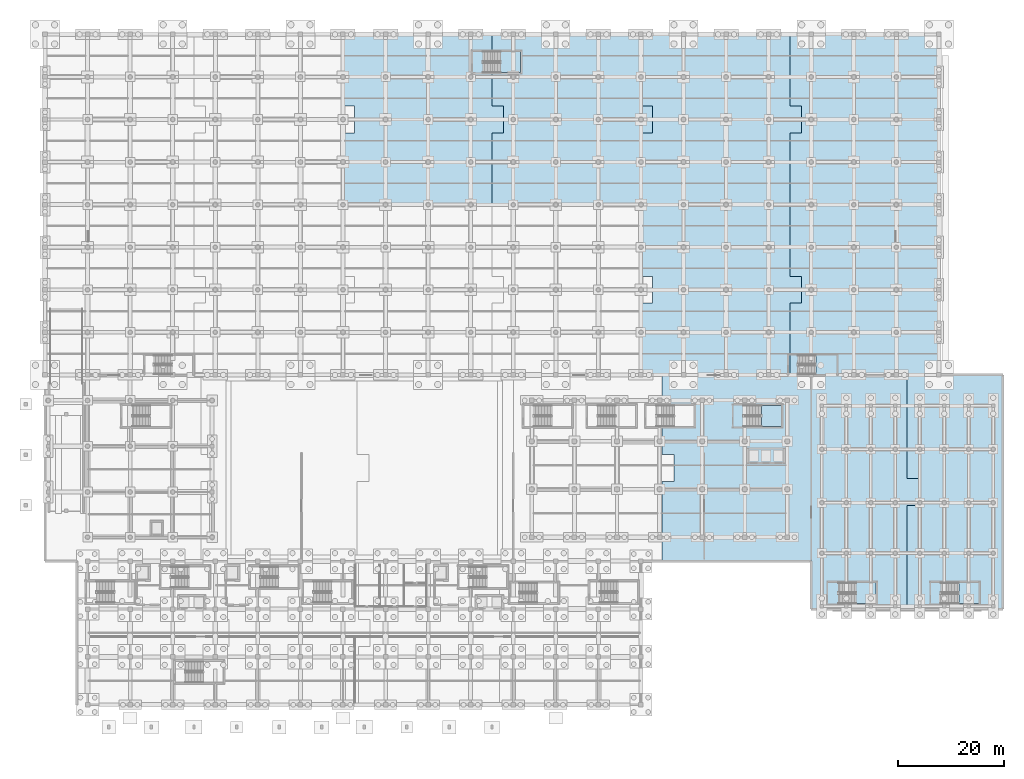
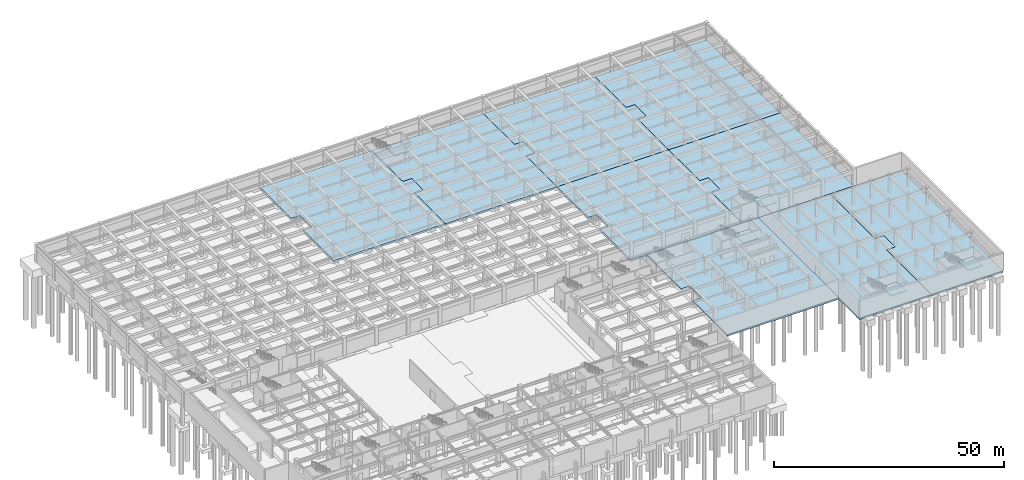
# One storey, part 24 of 48: 14 slabs, 5 elements without a shape of their own.
"""IFC4 building model written with IfcOpenShell, lengths in metres."""

from ifc_helpers import new_model, si_unit, direction, frame, origin, place, context, subcontext, project, spatial, polyline, outline, extrude, material, layer, layer_set, type_object, element, aggregate, save


model = new_model("IFC4")

# Units and contexts
model_context = context("Model", 3, precision=1e-05, world=origin(), true_north=direction((0.0, 1.0)))
body_context = subcontext(model_context, "Body", "Model", "MODEL_VIEW")
ifc_project = project(units=[si_unit("LENGTHUNIT", "METRE"), si_unit("AREAUNIT", "SQUARE_METRE"), si_unit("VOLUMEUNIT", "CUBIC_METRE"), si_unit("PLANEANGLEUNIT", "RADIAN"), si_unit("MASSUNIT", "GRAM", prefix="KILO")], contexts=[model_context])

# Site, building, storey
site_placement = place(None, origin())
site = spatial("IfcSite", under=ifc_project, at=site_placement, CompositionType="ELEMENT")
building_placement = place(site_placement, origin())
building = spatial("IfcBuilding", under=site, at=building_placement, Name="Tlacozan Convention Centre", CompositionType="ELEMENT")
storey_placement = place(building_placement, frame((0.0, 0.0, -4.800048828125)))
storey = spatial("IfcBuildingStorey", under=building, at=storey_placement, Name="B01", CompositionType="ELEMENT", Elevation=-4.800048828125)

# Slabs
ifc_material_1 = material(Name="Concrete C35/45", Category="concrete")
ifc_layer_1 = layer(ifc_material_1, 0.449951171875)
ifc_layer_set_1 = layer_set([ifc_layer_1], Name="Concrete C35/45")
slab_type_1 = type_object("IfcSlabType", Name="Basement Base Slab 450", PredefinedType="BASESLAB", material=ifc_layer_set_1)
slab_1_placement = place(storey_placement, frame((0.0, 0.0, -0.449951171875)))
element("IfcSlab", 1, at=slab_1_placement, inside=storey, type_object=slab_type_1, Name="B01 Basement Base Slab 450 21", PredefinedType="BASESLAB", context=body_context, shape_type="SweptSolid", body=[
    extrude(outline(polyline([(144.0, 62.0), (144.0, 27.0), (116.0, 27.0), (116.0, 42.0), (118.199951171875, 42.0), (118.199951171875, 47.0), (116.0, 47.0), (116.0, 62.0), (144.0, 62.0)])), origin(), (0.0, 0.0, 1.0), 0.449951171875),
])
slab_2_placement = place(storey_placement, frame((0.0, 0.0, -0.449951171875)))
element("IfcSlab", 2, at=slab_2_placement, inside=storey, type_object=slab_type_1, Name="B01 Basement Base Slab 450 22", PredefinedType="BASESLAB", context=body_context, shape_type="SweptSolid", body=[
    extrude(outline(polyline([(144.0, 18.0), (144.0, 62.0), (162.0, 62.0), (162.0, 42.5), (164.199951171875, 42.5), (164.199951171875, 37.5), (162.0, 37.5), (162.0, 18.0), (144.0, 18.0)])), origin(), (0.0, 0.0, 1.0), 0.449951171875),
])
slab_3_placement = place(storey_placement, frame((0.0, 0.0, -0.449951171875)))
element("IfcSlab", 3, at=slab_3_placement, inside=storey, type_object=slab_type_1, Name="B01 Basement Base Slab 450 23", PredefinedType="BASESLAB", context=body_context, shape_type="SweptSolid", body=[
    extrude(outline(polyline([(180.0, 62.0), (180.0, 18.0), (162.0, 18.0), (162.0, 37.5), (164.199951171875, 37.5), (164.199951171875, 42.5), (162.0, 42.5), (162.0, 62.0), (180.0, 62.0)])), origin(), (0.0, 0.0, 1.0), 0.449951171875),
])
ifc_layer_2 = layer(ifc_material_1, 0.489990234375)
ifc_layer_set_2 = layer_set([ifc_layer_2], Name="Concrete C35/45")
slab_type_2 = type_object("IfcSlabType", Name="Basement Heavy Vault Base Slab 490", PredefinedType="BASESLAB", material=ifc_layer_set_2)
slab_4_placement = place(storey_placement, frame((0.0, 0.0, -0.489990234375)))
element("IfcSlab", 4, at=slab_4_placement, inside=storey, type_object=slab_type_2, Name="B01 Basement Heavy Vault Base Slab 490 10", PredefinedType="BASESLAB", context=body_context, shape_type="SweptSolid", body=[
    extrude(outline(polyline([(56.0, 107.5), (58.199951171875, 107.5), (58.199951171875, 112.5), (56.0, 112.5), (56.0, 126.0), (84.0, 126.0), (84.0, 112.5), (86.199951171875, 112.5), (86.199951171875, 107.5), (84.0, 107.5), (84.0, 94.0), (56.0, 94.0), (56.0, 107.5)])), origin(), (0.0, 0.0, 1.0), 0.489990234375),
])
slab_5_placement = place(storey_placement, frame((0.0, 0.0, -0.489990234375)))
element("IfcSlab", 5, at=slab_5_placement, inside=storey, type_object=slab_type_2, Name="B01 Basement Heavy Vault Base Slab 490 12", PredefinedType="BASESLAB", context=body_context, shape_type="SweptSolid", body=[
    extrude(outline(polyline([(84.0, 107.5), (86.199951171875, 107.5), (86.199951171875, 112.5), (84.0, 112.5), (84.0, 126.0), (112.0, 126.0), (112.0, 112.5), (114.199951171875, 112.5), (114.199951171875, 107.5), (112.0, 107.5), (112.0, 94.0), (84.0, 94.0), (84.0, 107.5)])), origin(), (0.0, 0.0, 1.0), 0.489990234375),
])
slab_6_placement = place(storey_placement, frame((0.0, 0.0, -0.489990234375)))
element("IfcSlab", 6, at=slab_6_placement, inside=storey, type_object=slab_type_2, Name="B01 Basement Heavy Vault Base Slab 490 13", PredefinedType="BASESLAB", context=body_context, shape_type="SweptSolid", body=[
    extrude(outline(polyline([(112.0, 75.5), (114.199951171875, 75.5), (114.199951171875, 80.5), (112.0, 80.5), (112.0, 94.0), (140.0, 94.0), (140.0, 80.5), (142.199951171875, 80.5), (142.199951171875, 75.5), (140.0, 75.5), (140.0, 62.0), (112.0, 62.0), (112.0, 75.5)])), origin(), (0.0, 0.0, 1.0), 0.489990234375),
])
slab_7_placement = place(storey_placement, frame((0.0, 0.0, -0.489990234375)))
element("IfcSlab", 7, at=slab_7_placement, inside=storey, type_object=slab_type_2, Name="B01 Basement Heavy Vault Base Slab 490 14", PredefinedType="BASESLAB", context=body_context, shape_type="SweptSolid", body=[
    extrude(outline(polyline([(112.0, 107.5), (114.199951171875, 107.5), (114.199951171875, 112.5), (112.0, 112.5), (112.0, 126.0), (140.0, 126.0), (140.0, 112.5), (142.199951171875, 112.5), (142.199951171875, 107.5), (140.0, 107.5), (140.0, 94.0), (112.0, 94.0), (112.0, 107.5)])), origin(), (0.0, 0.0, 1.0), 0.489990234375),
])
slab_8_placement = place(storey_placement, frame((0.0, 0.0, -0.489990234375)))
element("IfcSlab", 8, at=slab_8_placement, inside=storey, type_object=slab_type_2, Name="B01 Basement Heavy Vault Base Slab 490 15", PredefinedType="BASESLAB", context=body_context, shape_type="SweptSolid", body=[
    extrude(outline(polyline([(168.0, 94.0), (168.0, 62.0), (140.0, 62.0), (140.0, 75.5), (142.199951171875, 75.5), (142.199951171875, 80.5), (140.0, 80.5), (140.0, 94.0), (168.0, 94.0)])), origin(), (0.0, 0.0, 1.0), 0.489990234375),
])
slab_9_placement = place(storey_placement, frame((0.0, 0.0, -0.489990234375)))
element("IfcSlab", 9, at=slab_9_placement, inside=storey, type_object=slab_type_2, Name="B01 Basement Heavy Vault Base Slab 490 16", PredefinedType="BASESLAB", context=body_context, shape_type="SweptSolid", body=[
    extrude(outline(polyline([(168.0, 126.0), (168.0, 94.0), (140.0, 94.0), (140.0, 107.5), (142.199951171875, 107.5), (142.199951171875, 112.5), (140.0, 112.5), (140.0, 126.0), (168.0, 126.0)])), origin(), (0.0, 0.0, 1.0), 0.489990234375),
])

# Stair, slab
ifc_material_2 = material(Name="Concrete C40/50", Category="concrete")
stair_type_1 = type_object("IfcStairType", Name="Protected Dogleg Stair W188 H48", PredefinedType="HALF_TURN_STAIR", material=ifc_material_2)
stair_1_placement = place(storey_placement, origin())
stair_1 = element("IfcStair", 10, at=stair_1_placement, inside=storey, type_object=stair_type_1, Name="B01 Ballroom and Plenary Hub Core Stair ST-03", PredefinedType="HALF_TURN_STAIR")
ifc_layer_3 = layer(ifc_material_2, 0.199951171875)
ifc_layer_set_3 = layer_set([ifc_layer_3], Name="Concrete C40/50")
slab_type_3 = type_object("IfcSlabType", Name="Stair Half Landing Slab 200", PredefinedType="LANDING", material=ifc_layer_set_3)
slab_10_placement = place(storey_placement, frame((0.0, 0.0, 2.199951171875)))
slab_10 = element("IfcSlab", 11, at=slab_10_placement, type_object=slab_type_3, Name="ST-03 landing 1", PredefinedType="LANDING", context=body_context, shape_type="SweptSolid", body=[
    extrude(outline(polyline([(134.639892578125, 52.300048828125), (138.39990234375, 52.300048828125), (138.39990234375, 56.260009765625), (134.639892578125, 56.260009765625), (134.639892578125, 52.300048828125)])), origin(), (0.0, 0.0, 1.0), 0.2001953125),
])
aggregate(stair_1, [slab_10])

stair_2_placement = place(storey_placement, origin())
stair_2 = element("IfcStair", 12, at=stair_2_placement, inside=storey, type_object=stair_type_1, Name="B01 Plenary South-East Stair", PredefinedType="HALF_TURN_STAIR")
slab_11_placement = place(storey_placement, frame((0.0, 0.0, 2.199951171875)))
slab_11 = element("IfcSlab", 13, at=slab_11_placement, type_object=slab_type_3, Name="ST-07 landing 1", PredefinedType="LANDING", context=body_context, shape_type="SweptSolid", body=[
    extrude(outline(polyline([(171.739990234375, 19.0), (175.5, 19.0), (175.5, 22.9599609375), (171.739990234375, 22.9599609375), (171.739990234375, 19.0)])), origin(), (0.0, 0.0, 1.0), 0.2001953125),
])
aggregate(stair_2, [slab_11])

stair_3_placement = place(storey_placement, origin())
stair_3 = element("IfcStair", 14, at=stair_3_placement, inside=storey, type_object=stair_type_1, Name="B01 Plenary South-West Stair", PredefinedType="HALF_TURN_STAIR")
slab_12_placement = place(storey_placement, frame((0.0, 0.0, 2.199951171875)))
slab_12 = element("IfcSlab", 15, at=slab_12_placement, type_object=slab_type_3, Name="ST-08 landing 1", PredefinedType="LANDING", context=body_context, shape_type="SweptSolid", body=[
    extrude(outline(polyline([(152.43994140625, 19.0), (156.199951171875, 19.0), (156.199951171875, 22.9599609375), (152.43994140625, 22.9599609375), (152.43994140625, 19.0)])), origin(), (0.0, 0.0, 1.0), 0.2001953125),
])
aggregate(stair_3, [slab_12])

stair_type_2 = type_object("IfcStairType", Name="Protected Dogleg Stair W170 H48", PredefinedType="HALF_TURN_STAIR", material=ifc_material_2)
stair_4_placement = place(storey_placement, origin())
stair_4 = element("IfcStair", 16, at=stair_4_placement, inside=storey, type_object=stair_type_2, Name="B01 Exhibition East Stair", PredefinedType="HALF_TURN_STAIR")
slab_13_placement = place(storey_placement, frame((0.0, 0.0, 2.199951171875)))
slab_13 = element("IfcSlab", 17, at=slab_13_placement, type_object=slab_type_3, Name="ST-11 landing 1", PredefinedType="LANDING", context=body_context, shape_type="SweptSolid", body=[
    extrude(outline(polyline([(144.860107421875, 62.10009765625), (148.800048828125, 62.10009765625), (148.800048828125, 65.699951171875), (144.860107421875, 65.699951171875), (144.860107421875, 62.10009765625)])), origin(), (0.0, 0.0, 1.0), 0.2001953125),
])
aggregate(stair_4, [slab_13])

stair_5_placement = place(storey_placement, origin())
stair_5 = element("IfcStair", 18, at=stair_5_placement, inside=storey, type_object=stair_type_1, Name="B01 North Hall Basement Stair", PredefinedType="HALF_TURN_STAIR")
slab_14_placement = place(storey_placement, frame((0.0, 0.0, 2.199951171875)))
slab_14 = element("IfcSlab", 19, at=slab_14_placement, type_object=slab_type_3, Name="ST-12 landing 1", PredefinedType="LANDING", context=body_context, shape_type="SweptSolid", body=[
    extrude(outline(polyline([(85.639892578125, 118.800048828125), (89.39990234375, 118.800048828125), (89.39990234375, 122.760009765625), (85.639892578125, 122.760009765625), (85.639892578125, 118.800048828125)])), origin(), (0.0, 0.0, 1.0), 0.2001953125),
])
aggregate(stair_5, [slab_14])

save(model, "model.ifc")
